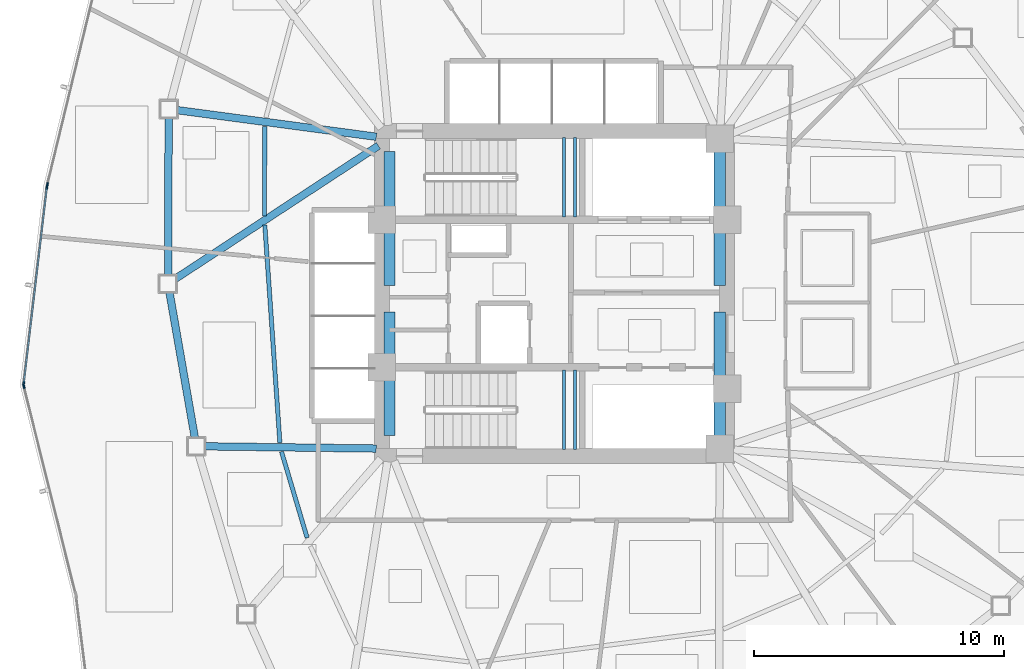
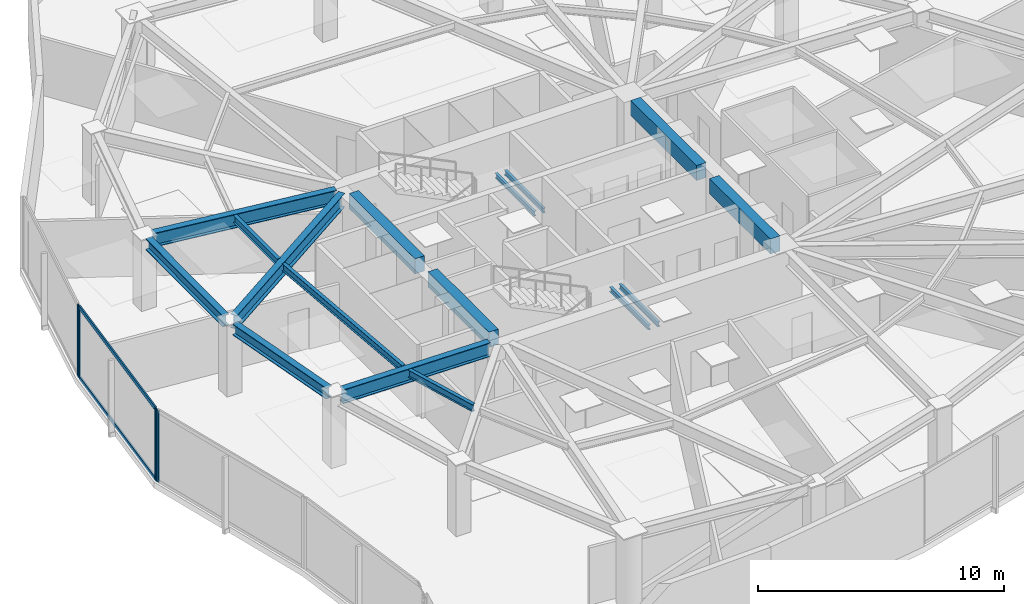
# One storey, part 4 of 17: 16 beams, 6 members, 3 elements without a shape of their own.
"""IFC4 building model written with IfcOpenShell, lengths in metres."""

from ifc_helpers import new_model, si_unit, direction, frame, origin, origin_2d, place, context, subcontext, project, spatial, rectangle, hollow_rectangle, i_section, extrude, source, transform, mapped, material, layer, layer_set, material_profile, profile_set, type_object, type_shapes, element, aggregate, save


model = new_model("IFC4")

# Units and contexts
model_context = context("Model", 3, precision=1e-05, world=origin(), true_north=direction((0.0, 1.0)))
body_context = subcontext(model_context, "Body", "Model", "MODEL_VIEW")
ifc_project = project(units=[si_unit("LENGTHUNIT", "METRE"), si_unit("AREAUNIT", "SQUARE_METRE"), si_unit("VOLUMEUNIT", "CUBIC_METRE"), si_unit("PLANEANGLEUNIT", "RADIAN"), si_unit("MASSUNIT", "GRAM", prefix="KILO")], contexts=[model_context])

# Site, building, storey
site_placement = place(None, origin())
site = spatial("IfcSite", under=ifc_project, at=site_placement, CompositionType="ELEMENT")
building_placement = place(site_placement, origin())
building = spatial("IfcBuilding", under=site, at=building_placement, Name="Tavelor Broadcast Tower", CompositionType="ELEMENT")
storey_placement = place(building_placement, frame((0.0, 0.0, 115.60009765625)))
storey = spatial("IfcBuildingStorey", under=building, at=storey_placement, Name="L26", CompositionType="ELEMENT", Elevation=115.60009765625)

# Beams
ifc_material_1 = material(Name="Concrete C40/50", Category="concrete")
ifc_material_profile_1 = material_profile(ifc_material_1, rectangle(XDim=0.449951171875, YDim=0.75, at=origin_2d()), Name="RC 450x750")
ifc_profile_set_1 = profile_set([ifc_material_profile_1], Name="Concrete C40/50")
beam_type_1 = type_object("IfcBeamType", Name="Basement Core Trim Beam 450x750", PredefinedType="BEAM", material=ifc_profile_set_1)
for number, where, z_axis, x_axis, name in (
    (1, (43.39990234375, 45.327880859375, 3.1748046875), (0.0, 1.0, 0.0), (-1.0, 0.0, 0.0), "L26 Core West-N Tie Girder"),
    (2, (56.60009765625, 45.327880859375, 3.1748046875), (0.0, 1.0, 0.0), (-1.0, 0.0, 0.0), "L26 Core East-N Tie Girder"),
):
    element("IfcBeam", number, at=place(storey_placement, frame(where, z_axis=z_axis, x_axis=x_axis)), inside=storey, type_object=beam_type_1, Name=name, PredefinedType="BEAM", context=body_context, shape_type="SweptSolid", body=[
        extrude(rectangle(XDim=0.449951171875, YDim=0.75, at=origin_2d()), origin(), (0.0, 0.0, 1.0), 5.34423828125),
    ])
for number, where, z_axis, x_axis, name in (
    (3, (43.39990234375, 39.327880859375, 3.1748046875), (0.0, 1.0, 0.0), (-1.0, 0.0, 0.0), "L26 Core West-S Tie Girder"),
    (4, (56.60009765625, 39.327880859375, 3.1748046875), (0.0, 1.0, 0.0), (-1.0, 0.0, 0.0), "L26 Core East-S Tie Girder"),
):
    element("IfcBeam", number, at=place(storey_placement, frame(where, z_axis=z_axis, x_axis=x_axis)), inside=storey, type_object=beam_type_1, Name=name, PredefinedType="BEAM", context=body_context, shape_type="SweptSolid", body=[
        extrude(rectangle(XDim=0.449951171875, YDim=0.75, at=origin_2d()), origin(), (0.0, 0.0, 1.0), 4.944091796875),
    ])
ifc_material_2 = material(Name="Steel S355", Category="steel")
ifc_material_profile_2 = material_profile(ifc_material_2, i_section(OverallWidth=0.169921875, OverallDepth=0.360107421875, WebThickness=0.008056640625, FlangeThickness=0.0126953125, at=origin_2d()), Name="IPE 360")
ifc_profile_set_2 = profile_set([ifc_material_profile_2], Name="Steel S355")
beam_type_2 = type_object("IfcBeamType", Name="Composite Floor Joist T3 IPE 360", PredefinedType="JOIST", material=ifc_profile_set_2)
beam_1_placement = place(storey_placement, frame((38.413818359375, 51.685302734375, 3.369873046875), z_axis=(-0.002320654457, -0.999997307278, 0.0), x_axis=(0.999997307278, -0.002320654457, 0.0)))
element("IfcBeam", 5, at=beam_1_placement, inside=storey, type_object=beam_type_2, Name="L26 Secondary Composite Floor Joist 03", PredefinedType="JOIST", context=body_context, shape_type="SweptSolid", body=[
    extrude(i_section(OverallWidth=0.169921875, OverallDepth=0.360107421875, WebThickness=0.008056640625, FlangeThickness=0.0126953125, at=origin_2d()), origin(), (0.0, 0.0, 1.0), 3.576904296875),
])
beam_2_placement = place(storey_placement, frame((38.41748046875, 47.74658203125, 3.369873046875), z_axis=(0.069100565304, -0.997609699168, 0.0), x_axis=(0.997609699168, 0.069100565304, 0.0)))
element("IfcBeam", 6, at=beam_2_placement, inside=storey, type_object=beam_type_2, Name="L26 Secondary Composite Floor Joist 04", PredefinedType="JOIST", context=body_context, shape_type="SweptSolid", body=[
    extrude(i_section(OverallWidth=0.169921875, OverallDepth=0.360107421875, WebThickness=0.008056640625, FlangeThickness=0.0126953125, at=origin_2d()), origin(), (0.0, 0.0, 1.0), 8.730224609375),
])
beam_3_placement = place(storey_placement, frame((39.084716796875, 38.68310546875, 3.369873046875), z_axis=(0.285203072184, -0.958467113477, 0.0), x_axis=(0.958467113477, 0.285203072184, 0.0)))
element("IfcBeam", 7, at=beam_3_placement, inside=storey, type_object=beam_type_2, Name="L26 Secondary Composite Floor Joist 05", PredefinedType="JOIST", context=body_context, shape_type="SweptSolid", body=[
    extrude(i_section(OverallWidth=0.169921875, OverallDepth=0.360107421875, WebThickness=0.008056640625, FlangeThickness=0.0126953125, at=origin_2d()), origin(), (0.0, 0.0, 1.0), 3.593505859375),
])
ifc_material_profile_3 = material_profile(ifc_material_2, i_section(OverallWidth=0.300048828125, OverallDepth=0.550048828125, WebThickness=0.014892578125, FlangeThickness=0.029052734375, at=origin_2d()), Name="HEB 550")
ifc_profile_set_3 = profile_set([ifc_material_profile_3], Name="Steel S355")
beam_type_3 = type_object("IfcBeamType", Name="Perimeter Spandrel Beam T3 HEB 550", PredefinedType="SPANDREL", material=ifc_profile_set_3)
beam_4_placement = place(storey_placement, frame((34.57373046875, 52.043212890625, 3.27490234375), z_axis=(-0.00410245019, -0.999991584916, 0.0), x_axis=(0.999991584916, -0.00410245019, 0.0)))
element("IfcBeam", 8, at=beam_4_placement, inside=storey, type_object=beam_type_3, Name="L26 Framed-Tube Ring Spandrel 03", PredefinedType="SPANDREL", context=body_context, shape_type="SweptSolid", body=[
    extrude(i_section(OverallWidth=0.300048828125, OverallDepth=0.550048828125, WebThickness=0.014892578125, FlangeThickness=0.029052734375, at=origin_2d()), origin(), (0.0, 0.0, 1.0), 6.30810546875),
])
beam_5_placement = place(storey_placement, frame((34.604248046875, 45.068115234375, 3.27490234375), z_axis=(0.17197754126, -0.985100870623, 0.0), x_axis=(0.985100870623, 0.17197754126, 0.0)))
element("IfcBeam", 9, at=beam_5_placement, inside=storey, type_object=beam_type_3, Name="L26 Framed-Tube Ring Spandrel 04", PredefinedType="SPANDREL", context=body_context, shape_type="SweptSolid", body=[
    extrude(i_section(OverallWidth=0.300048828125, OverallDepth=0.550048828125, WebThickness=0.014892578125, FlangeThickness=0.029052734375, at=origin_2d()), origin(), (0.0, 0.0, 1.0), 5.925537109375),
])
ifc_material_profile_4 = material_profile(ifc_material_2, i_section(OverallWidth=0.300048828125, OverallDepth=0.68994140625, WebThickness=0.014404296875, FlangeThickness=0.027099609375, at=origin_2d()), Name="HEA 700")
ifc_profile_set_4 = profile_set([ifc_material_profile_4], Name="Steel S355")
beam_type_4 = type_object("IfcBeamType", Name="Radial Floor Girder T3 HEA 700", PredefinedType="BEAM", material=ifc_profile_set_4)
beam_6_placement = place(storey_placement, frame((42.876708984375, 51.27001953125, 3.204833984375), z_axis=(-0.991191527329, 0.132436234281, 0.0), x_axis=(-0.132436234281, -0.991191527329, 0.0)))
element("IfcBeam", 10, at=beam_6_placement, inside=storey, type_object=beam_type_4, Name="L26 Radial Primary Floor Girder 03", PredefinedType="BEAM", context=body_context, shape_type="SweptSolid", body=[
    extrude(i_section(OverallWidth=0.300048828125, OverallDepth=0.68994140625, WebThickness=0.014404296875, FlangeThickness=0.027099609375, at=origin_2d()), origin(), (0.0, 0.0, 1.0), 8.039306640625),
])
beam_7_placement = place(storey_placement, frame((42.95849609375, 50.91064453125, 3.204833984375), z_axis=(-0.836455571638, -0.548034740391, 0.0), x_axis=(0.548034740391, -0.836455571638, 0.0)))
element("IfcBeam", 11, at=beam_7_placement, inside=storey, type_object=beam_type_4, Name="L26 Radial Primary Floor Girder 04", PredefinedType="BEAM", context=body_context, shape_type="SweptSolid", body=[
    extrude(i_section(OverallWidth=0.300048828125, OverallDepth=0.68994140625, WebThickness=0.014404296875, FlangeThickness=0.027099609375, at=origin_2d()), origin(), (0.0, 0.0, 1.0), 9.720947265625),
])
beam_8_placement = place(storey_placement, frame((42.8720703125, 38.806884765625, 3.204833984375), z_axis=(-0.999916440376, 0.012927190963, 0.0), x_axis=(-0.012927190963, -0.999916440376, 0.0)))
element("IfcBeam", 12, at=beam_8_placement, inside=storey, type_object=beam_type_4, Name="L26 Radial Primary Floor Girder 05", PredefinedType="BEAM", context=body_context, shape_type="SweptSolid", body=[
    extrude(i_section(OverallWidth=0.300048828125, OverallDepth=0.68994140625, WebThickness=0.014404296875, FlangeThickness=0.027099609375, at=origin_2d()), origin(), (0.0, 0.0, 1.0), 6.85546875),
])
ifc_material_profile_5 = material_profile(ifc_material_2, i_section(OverallWidth=0.1201171875, OverallDepth=0.239990234375, WebThickness=0.006103515625, FlangeThickness=0.009765625, at=origin_2d()), Name="IPE 240")
ifc_profile_set_5 = profile_set([ifc_material_profile_5], Name="Steel S355")
beam_type_5 = type_object("IfcBeamType", Name="Stairwell Landing Support Trimmer Beam IPE240", PredefinedType="BEAM", material=ifc_profile_set_5)
for number, where, z_axis, x_axis, name in (
    (13, (50.385009765625, 48.06005859375, 1.60986328125), (0.0, 1.0, 0.0), (-1.0, 0.0, 0.0), "L26 Stair Landing Support Beam 85"),
    (14, (50.824951171875, 48.06005859375, 1.60986328125), (0.0, 1.0, 0.0), (-1.0, 0.0, 0.0), "L26 Stair Landing Support Beam 86"),
    (15, (50.385009765625, 38.760009765625, 1.60986328125), (0.0, 1.0, 0.0), (-1.0, 0.0, 0.0), "L26 Stair Landing Support Beam 299"),
    (16, (50.824951171875, 38.760009765625, 1.60986328125), (0.0, 1.0, 0.0), (-1.0, 0.0, 0.0), "L26 Stair Landing Support Beam 300"),
):
    element("IfcBeam", number, at=place(storey_placement, frame(where, z_axis=z_axis, x_axis=x_axis)), inside=storey, type_object=beam_type_5, Name=name, PredefinedType="BEAM", context=body_context, shape_type="SweptSolid", body=[
        extrude(i_section(OverallWidth=0.1201171875, OverallDepth=0.239990234375, WebThickness=0.006103515625, FlangeThickness=0.009765625, at=origin_2d()), origin(), (0.0, 0.0, 1.0), 3.179931640625),
    ])

# Curtain wall, member
ifc_material_3 = material(Name="Architectural Anodized Aluminium", Category="aluminium")
ifc_layer = layer(ifc_material_3, 0.18994140625)
ifc_layer_set = layer_set([ifc_layer], Name="Architectural Anodized Aluminium")
curtain_wall_type = type_object("IfcCurtainWallType", Name="Tower Mid-Zone Acoustic Curtain Wall CW03", PredefinedType="NOTDEFINED", material=ifc_layer_set)
curtain_wall_1_placement = place(storey_placement, origin())
curtain_wall_1 = element("IfcCurtainWall", 17, at=curtain_wall_1_placement, inside=storey, type_object=curtain_wall_type, Name="L26 Curtain Wall CW03 Run 253", PredefinedType="NOTDEFINED")
ifc_material_profile_6 = material_profile(ifc_material_3, hollow_rectangle(XDim=0.068115234375, YDim=0.18994140625, WallThickness=0.02197265625, at=origin_2d()), Name="RHS 68x190x22")
ifc_profile_set_6 = profile_set([ifc_material_profile_6], Name="Architectural Anodized Aluminium")
member_type_1 = type_object("IfcMemberType", Name="CW03 Extruded Aluminium Mullion 68x190", PredefinedType="MULLION", material=ifc_profile_set_6)
shared_shape_1 = source(origin(), body_context, "Body", "SweptSolid", [
    extrude(hollow_rectangle(XDim=0.068115234375, YDim=0.18994140625, WallThickness=0.02197265625, at=origin_2d()), origin(), (0.0, 0.0, 1.0), 3.5498046875),
])
type_shapes(member_type_1, [shared_shape_1])
member_1_placement = place(storey_placement, frame((29.722900390625, 49.345947265625, 0.0), z_axis=(0.0, 0.0, 1.0), x_axis=(0.971651829054, -0.236416418839, 0.0)))
member_1 = element("IfcMember", 18, at=member_1_placement, type_object=member_type_1, Name="CW03 mullion 2", PredefinedType="MULLION", context=body_context, shape_type="MappedRepresentation", body=[
    mapped(shared_shape_1, transform((0.0, 0.0, 0.0), scale=1.0)),
])
aggregate(curtain_wall_1, [member_1])

# Curtain wall, members
curtain_wall_2_placement = place(storey_placement, origin())
curtain_wall_2 = element("IfcCurtainWall", 19, at=curtain_wall_2_placement, inside=storey, type_object=curtain_wall_type, Name="L26 Curtain Wall CW03 Run 254", PredefinedType="NOTDEFINED")
member_2_placement = place(storey_placement, frame((29.70556640625, 49.249755859375, 0.0), z_axis=(0.0, 0.0, 1.0), x_axis=(0.993119237598, -0.117107557027, 0.0)))
member_2 = element("IfcMember", 20, at=member_2_placement, type_object=member_type_1, Name="CW03 mullion 1", PredefinedType="MULLION", context=body_context, shape_type="MappedRepresentation", body=[
    mapped(shared_shape_1, transform((0.0, 0.0, 0.0), scale=1.0)),
])
member_3_placement = place(storey_placement, frame((28.77978515625, 41.398193359375, 0.0), z_axis=(0.0, 0.0, 1.0), x_axis=(0.993119237598, -0.117107557027, 0.0)))
member_3 = element("IfcMember", 21, at=member_3_placement, type_object=member_type_1, Name="CW03 mullion 2", PredefinedType="MULLION", context=body_context, shape_type="MappedRepresentation", body=[
    mapped(shared_shape_1, transform((0.0, 0.0, 0.0), scale=1.0)),
])

# Curtain wall, member
curtain_wall_3_placement = place(storey_placement, origin())
curtain_wall_3 = element("IfcCurtainWall", 22, at=curtain_wall_3_placement, inside=storey, type_object=curtain_wall_type, Name="L26 Curtain Wall CW03 Run 255", PredefinedType="NOTDEFINED")
member_4_placement = place(storey_placement, frame((28.785888671875, 41.302001953125, 0.0), z_axis=(0.0, 0.0, 1.0), x_axis=(0.970250901494, 0.242101607078, 0.0)))
member_4 = element("IfcMember", 23, at=member_4_placement, type_object=member_type_1, Name="CW03 mullion 1", PredefinedType="MULLION", context=body_context, shape_type="MappedRepresentation", body=[
    mapped(shared_shape_1, transform((0.0, 0.0, 0.0), scale=1.0)),
])
aggregate(curtain_wall_3, [member_4])

# Member
ifc_material_profile_7 = material_profile(ifc_material_3, hollow_rectangle(XDim=0.068115234375, YDim=0.18994140625, WallThickness=0.02197265625, at=origin_2d()), Name="RHS 68x190x22")
ifc_profile_set_7 = profile_set([ifc_material_profile_7], Name="Architectural Anodized Aluminium")
member_type_2 = type_object("IfcMemberType", Name="CW03 Extruded Aluminium Transom 68x190", PredefinedType="USERDEFINED", material=ifc_profile_set_7)
shared_shape_2 = source(origin(), body_context, "Body", "SweptSolid", [
    extrude(hollow_rectangle(XDim=0.068115234375, YDim=0.18994140625, WallThickness=0.02197265625, at=origin_2d()), origin(), (0.0, 0.0, 1.0), 7.837890625),
])
type_shapes(member_type_2, [shared_shape_2])
member_5_placement = place(storey_placement, frame((29.701416015625, 49.2158203125, 0.033935546875), z_axis=(-0.117088840749, -0.993121444423, 0.0), x_axis=(0.993121444423, -0.117088840749, 0.0)))
member_5 = element("IfcMember", 24, at=member_5_placement, type_object=member_type_2, Name="CW03 transom 1.1", ObjectType="TRANSOM", PredefinedType="USERDEFINED", context=body_context, shape_type="MappedRepresentation", body=[
    mapped(shared_shape_2, transform((0.0, 0.0, 0.0), scale=1.0)),
])

member_6_placement = place(storey_placement, frame((29.701416015625, 49.2158203125, 3.515869140625), z_axis=(-0.117088840749, -0.993121444423, 0.0), x_axis=(0.993121444423, -0.117088840749, 0.0)))
member_6 = element("IfcMember", 25, at=member_6_placement, type_object=member_type_2, Name="CW03 transom 1.2", ObjectType="TRANSOM", PredefinedType="USERDEFINED", context=body_context, shape_type="MappedRepresentation", body=[
    mapped(shared_shape_2, transform((0.0, 0.0, 0.0), scale=1.0)),
])

aggregate(curtain_wall_2, [member_2, member_3, member_5, member_6])

save(model, "model.ifc")
